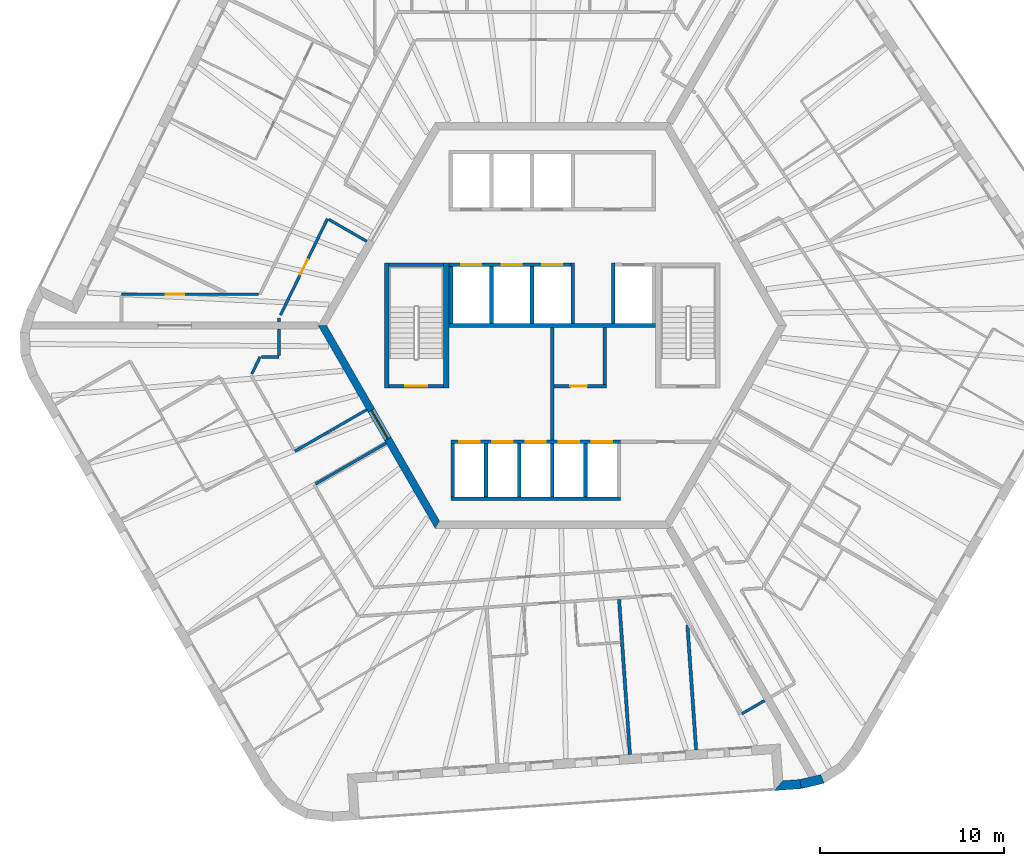
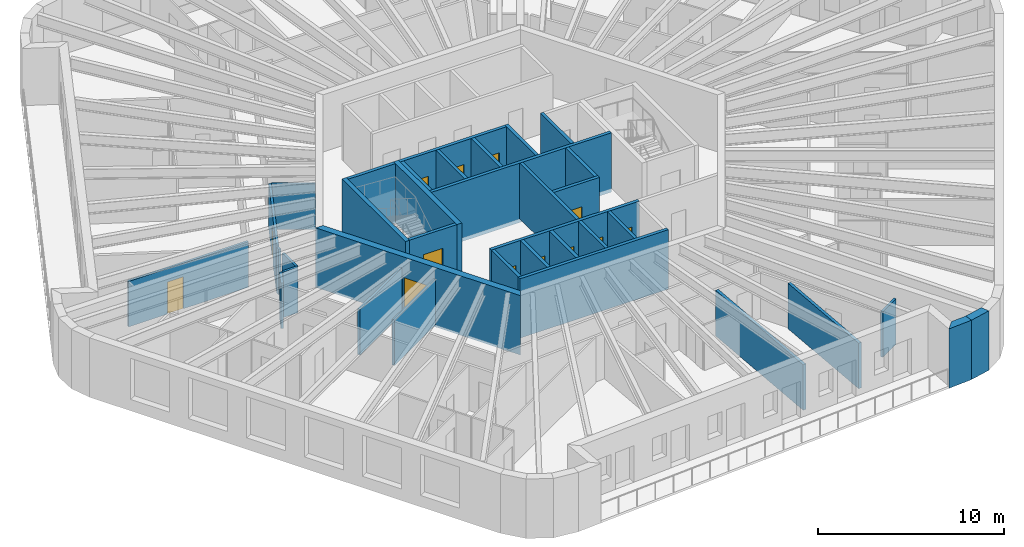
# One storey, part 5 of 12: 36 walls, 13 doors, 13 openings.
"""IFC4 building model written with IfcOpenShell, lengths in metres."""

import ifcopenshell
import ifcopenshell.guid

model = None  # the IFC model being written
_history = None  # IfcOwnerHistory: only IFC2X3 demands one
_inside = {}  # id of a spatial element -> (the spatial element, [elements in it])
_under = {}  # id of a project, library or spatial element -> (it, [spatial elements below it])
_declared = {}  # id of a project -> (the project, [libraries it declares])
_typed = {}  # id of a type object -> (the type object, [elements of that type])
_made_of = {}  # id of a material, layer set ... -> (it, [elements and type objects made of it])


def new_model(schema):
    """Start an empty IFC model of exactly this schema.

    Asked for "IFC4X3", IfcOpenShell would pick the latest addendum, in which some entities
    have other attributes; the version numbers below select the first issue.
    IFC2X3 requires an IfcOwnerHistory on every rooted entity: one is made here for all.
    """
    global model, _history
    if schema == "IFC4X3":
        model = ifcopenshell.file(schema_version=(4, 3, 0, 0))
    else:
        model = ifcopenshell.file(schema=schema)
    _inside.clear()
    _under.clear()
    _declared.clear()
    _typed.clear()
    _made_of.clear()
    _history = None
    if model.schema == "IFC2X3":
        org = make("IfcOrganization", Name="unknown")
        user = make(
            "IfcPersonAndOrganization",
            ThePerson=make("IfcPerson", FamilyName="unknown"),
            TheOrganization=org,
        )
        app = make(
            "IfcApplication",
            ApplicationDeveloper=org,
            Version="unknown",
            ApplicationFullName="unknown",
            ApplicationIdentifier="unknown",
        )
        _history = make(
            "IfcOwnerHistory",
            OwningUser=user,
            OwningApplication=app,
            ChangeAction="ADDED",
            CreationDate=0,
        )
    return model


def make(cls, **values):
    """One entity of the class cls with the attributes given. An attribute that is None is left unset."""
    return model.create_entity(
        cls, **{name: value for name, value in values.items() if value is not None}
    )


def rooted(cls, **values):
    """An entity with a GlobalId (a new one), such as an element, a storey or a relation."""
    return make(cls, GlobalId=ifcopenshell.guid.new(), OwnerHistory=_history, **values)


def si_unit(unit_type, name, prefix=None):
    """IfcSIUnit, for example si_unit("LENGTHUNIT", "METRE", prefix="MILLI")."""
    return make("IfcSIUnit", UnitType=unit_type, Prefix=prefix, Name=name)


def assignment(units):
    """IfcUnitAssignment: the units of a project."""
    return None if units is None else make("IfcUnitAssignment", Units=units)


def point(xyz):
    """IfcCartesianPoint."""
    return None if xyz is None else make("IfcCartesianPoint", Coordinates=xyz)


def direction(xyz):
    """IfcDirection."""
    return None if xyz is None else make("IfcDirection", DirectionRatios=xyz)


def frame(location, z_axis=None, x_axis=None):
    """IfcAxis2Placement3D, a coordinate frame: its origin and axes. An axis left out is left unset."""
    return make(
        "IfcAxis2Placement3D",
        Location=point(location),
        Axis=direction(z_axis),
        RefDirection=direction(x_axis),
    )


def frame_2d(location, x_axis=None):
    """IfcAxis2Placement2D, a coordinate frame in the plane: its origin and x axis."""
    return make(
        "IfcAxis2Placement2D", Location=point(location), RefDirection=direction(x_axis)
    )


def origin():
    """The frame at (0, 0, 0) with its axes left unset."""
    return frame((0.0, 0.0, 0.0))


def place(relative_to, where):
    """IfcLocalPlacement: puts the frame where relative to a parent placement (None: the world)."""
    return make(
        "IfcLocalPlacement", PlacementRelTo=relative_to, RelativePlacement=where
    )


def context(
    kind, dimensions, precision=None, world=None, true_north=None, identifier=None
):
    """IfcGeometricRepresentationContext, for example the 3D "Model" context."""
    return make(
        "IfcGeometricRepresentationContext",
        ContextIdentifier=identifier,
        ContextType=kind,
        CoordinateSpaceDimension=dimensions,
        Precision=precision,
        WorldCoordinateSystem=world,
        TrueNorth=true_north,
    )


def subcontext(parent, identifier, kind, view, scale=None):
    """IfcGeometricRepresentationSubContext, for example "Body" below "Model"."""
    return make(
        "IfcGeometricRepresentationSubContext",
        ContextIdentifier=identifier,
        ContextType=kind,
        ParentContext=parent,
        TargetScale=scale,
        TargetView=view,
    )


def project(units=None, contexts=None):
    """IfcProject with its units and contexts."""
    return rooted(
        "IfcProject",
        Name="project",
        RepresentationContexts=contexts,
        UnitsInContext=assignment(units),
    )


def spatial(cls, under=None, at=None, **own):
    """A site, building, storey or space (cls), placed at a placement, below another one or the project."""
    s = rooted(cls, ObjectPlacement=at, **own)
    if under is not None:
        _under.setdefault(under.id(), (under, []))[1].append(s)
    return s


def polyline(points):
    """IfcPolyline through the points."""
    return make("IfcPolyline", Points=[point(p) for p in points])


def profile(cls, at=None, kind="AREA", **sizes):
    """A parametric profile (cls). Its sizes go by their IFC names, for example OverallWidth=200.0."""
    return make(cls, ProfileType=kind, Position=at, **sizes)


def rectangle(**sizes):
    """IfcRectangleProfileDef."""
    return profile("IfcRectangleProfileDef", **sizes)


def outline(outer, holes=None, kind="AREA"):
    """IfcArbitraryClosedProfileDef: a profile drawn as a closed curve; with holes, ...WithVoids."""
    if holes is None:
        return make("IfcArbitraryClosedProfileDef", ProfileType=kind, OuterCurve=outer)
    return make(
        "IfcArbitraryProfileDefWithVoids",
        ProfileType=kind,
        OuterCurve=outer,
        InnerCurves=holes,
    )


def extrude(swept, where, along, depth):
    """IfcExtrudedAreaSolid: the profile swept, set in the frame where, extruded along a direction by depth."""
    return make(
        "IfcExtrudedAreaSolid",
        SweptArea=swept,
        Position=where,
        ExtrudedDirection=direction(along),
        Depth=depth,
    )


def shape(context_of_items, identifier, shape_type, items):
    """IfcShapeRepresentation: the items that make up one representation, for example the "Body"."""
    return make(
        "IfcShapeRepresentation",
        ContextOfItems=context_of_items,
        RepresentationIdentifier=identifier,
        RepresentationType=shape_type,
        Items=items,
    )


def material(Name=None, Category=None):
    """IfcMaterial."""
    return make("IfcMaterial", Name=Name, Category=Category)


def layer(
    of_material, thickness, ventilated=None, Name=None, Category=None, Priority=None
):
    """IfcMaterialLayer: one layer of a wall or slab, of a material (None: an air gap)."""
    return make(
        "IfcMaterialLayer",
        Material=of_material,
        LayerThickness=thickness,
        IsVentilated=ventilated,
        Name=Name,
        Category=Category,
        Priority=Priority,
    )


def layer_set(layers, Name=None):
    """IfcMaterialLayerSet."""
    return make("IfcMaterialLayerSet", MaterialLayers=layers, LayerSetName=Name)


def made_of(thing, what):
    """Note that an element or type object is made of a material, layer set ...; save() writes the relation."""
    if what is not None:
        _made_of.setdefault(what.id(), (what, []))[1].append(thing)
    return thing


def type_object(cls, material=None, **own):
    """A type object (cls), such as IfcWallType, which elements share."""
    return made_of(rooted(cls, **own), material)


def element(
    cls,
    number,
    at=None,
    inside=None,
    cuts=None,
    type_object=None,
    material=None,
    context=None,
    identifier="Body",
    shape_type=None,
    held_by="IfcProductDefinitionShape",
    body=None,
    shapes=None,
    **own,
):
    """One element of the class cls, such as IfcWall. Its Tag is "e" and its number.

    at: its placement. inside: the storey or other place that contains it. cuts: it is an
    opening in that element (IfcRelVoidsElement). A single representation is given by context,
    identifier, shape_type and body (its items); several are given by shapes. held_by: the class
    of the entity that holds the representations. save() writes the other relations.
    """
    e = rooted(cls, Tag="e%d" % number, ObjectPlacement=at, **own)
    if body is not None:
        shapes = [shape(context, identifier, shape_type, body)]
    if shapes is not None:
        e.Representation = make(held_by, Representations=shapes)
    if inside is not None:
        _inside.setdefault(inside.id(), (inside, []))[1].append(e)
    if cuts is not None:
        rooted(
            "IfcRelVoidsElement", RelatingBuildingElement=cuts, RelatedOpeningElement=e
        )
    if type_object is not None:
        _typed.setdefault(type_object.id(), (type_object, []))[1].append(e)
    return made_of(e, material)


def fill(opening, filler):
    """IfcRelFillsElement: the door or window that sits in an opening."""
    return rooted(
        "IfcRelFillsElement",
        RelatingOpeningElement=opening,
        RelatedBuildingElement=filler,
    )


def aggregate(whole, parts):
    """IfcRelAggregates: a whole, such as a stair, and the parts it consists of."""
    return rooted("IfcRelAggregates", RelatingObject=whole, RelatedObjects=parts)


def save(model, path):
    """Write the relations noted so far, then the file.

    IfcRelAggregates (storeys below a building ...), IfcRelContainedInSpatialStructure (elements
    in a storey), IfcRelDefinesByType, IfcRelAssociatesMaterial and IfcRelDeclares: one each for
    every whole, place, type object, material and project.
    """
    for whole, parts in _under.values():
        aggregate(whole, parts)
    for where, things in _inside.values():
        rooted(
            "IfcRelContainedInSpatialStructure",
            RelatedElements=things,
            RelatingStructure=where,
        )
    for kind, things in _typed.values():
        rooted("IfcRelDefinesByType", RelatedObjects=things, RelatingType=kind)
    for what, things in _made_of.values():
        rooted("IfcRelAssociatesMaterial", RelatedObjects=things, RelatingMaterial=what)
    for by, libraries in _declared.values():
        rooted("IfcRelDeclares", RelatingContext=by, RelatedDefinitions=libraries)
    model.write(path)


model = new_model("IFC4")

# Units and contexts
model_context = context("Model", 3, precision=1e-05, world=origin(), true_north=direction((0.0, 1.0)))
body_context = subcontext(model_context, "Body", "Model", "MODEL_VIEW")
ifc_project = project(units=[si_unit("LENGTHUNIT", "METRE"), si_unit("AREAUNIT", "SQUARE_METRE"), si_unit("VOLUMEUNIT", "CUBIC_METRE"), si_unit("PLANEANGLEUNIT", "RADIAN"), si_unit("MASSUNIT", "GRAM", prefix="KILO")], contexts=[model_context])

# Site, building, storey
site_placement = place(None, origin())
site = spatial("IfcSite", under=ifc_project, at=site_placement, CompositionType="ELEMENT")
building_placement = place(site_placement, origin())
building = spatial("IfcBuilding", under=site, at=building_placement, Name="Tarnside Tower", CompositionType="ELEMENT")
storey_placement = place(building_placement, frame((0.0, 0.0, 271.800048828125)))
storey = spatial("IfcBuildingStorey", under=building, at=storey_placement, Name="L65", CompositionType="ELEMENT", Elevation=271.800048828125)

# Wall, opening, door
ifc_material_1 = material(Name="Concrete C40/50", Category="concrete")
ifc_layer_1 = layer(ifc_material_1, 0.199951171875)
ifc_layer_set_1 = layer_set([ifc_layer_1], Name="Core room partition 200 C40/50")
wall_type_1 = type_object("IfcWallType", Name="Core room partition 200 C40/50", PredefinedType="PARTITIONING", material=ifc_layer_set_1)
wall_1_placement = place(storey_placement, frame((0.10009765625, -3.300048828125, 0.0), z_axis=(0.0, 0.0, 1.0), x_axis=(1.0, 0.0, 0.0)))
wall_1 = element("IfcWall", 1, at=wall_1_placement, inside=storey, type_object=wall_type_1, Name="L65 core partition R3S1", PredefinedType="PARTITIONING", context=body_context, shape_type="SweptSolid", body=[
    extrude(rectangle(XDim=2.849853515625, YDim=0.199951171875, at=frame_2d((1.4248046875, 0.0))), origin(), (0.0, 0.0, 1.0), 3.64990234375),
])
opening_1_placement = place(wall_1_placement, frame((0.875, 0.0, 0.0)))
opening_1 = element("IfcOpeningElement", 2, at=opening_1_placement, cuts=wall_1, Name="Opening CD-room", PredefinedType="OPENING", context=body_context, shape_type="SweptSolid", body=[
    extrude(rectangle(XDim=0.89990234375, YDim=2.10009765625, at=frame_2d((0.449951171875, 1.050048828125))), frame((0.0, 0.10986328125, 0.0), z_axis=(0.0, -1.0, 0.0), x_axis=(1.0, 0.0, 0.0)), (0.0, 0.0, 1.0), 0.219970703125),
])
ifc_material_2 = material(Name="Steel fire door", Category="steel")
door_type_1 = type_object("IfcDoorType", Name="Room door FD60 900x2100", OperationType="NOTDEFINED", PredefinedType="DOOR", material=ifc_material_2)
door_1_placement = place(opening_1_placement, origin())
door_1 = element("IfcDoor", 3, at=door_1_placement, inside=storey, type_object=door_type_1, Name="L65 core room door SR1", OperationType="SINGLE_SWING_LEFT", OverallHeight=2.10009765625, OverallWidth=0.89990234375, PredefinedType="DOOR", context=body_context, shape_type="SweptSolid", body=[
    extrude(rectangle(XDim=0.89990234375, YDim=2.10009765625, at=frame_2d((0.449951171875, 1.050048828125))), frame((0.0, 0.02490234375, 0.0), z_axis=(0.0, -1.0, 0.0), x_axis=(1.0, 0.0, 0.0)), (0.0, 0.0, 1.0), 0.050048828125),
])
fill(opening_1, door_1)

# Walls
wall_2_placement = place(storey_placement, frame((2.85009765625, -3.199951171875, 0.0), z_axis=(0.0, 0.0, 1.0), x_axis=(0.0, 1.0, 0.0)))
element("IfcWall", 4, at=wall_2_placement, inside=storey, type_object=wall_type_1, Name="L65 core partition R3P1b", PredefinedType="PARTITIONING", context=body_context, shape_type="SweptSolid", body=[
    extrude(rectangle(XDim=3.099853515625, YDim=0.199951171875, at=frame_2d((1.5498046875, 0.0))), origin(), (0.0, 0.0, 1.0), 3.64990234375),
])
wall_3_placement = place(storey_placement, frame((0.0, -6.199951171875, 0.0), z_axis=(0.0, 0.0, 1.0), x_axis=(0.0, 1.0, 0.0)))
element("IfcWall", 5, at=wall_3_placement, inside=storey, type_object=wall_type_1, Name="L65 core partition X0", PredefinedType="PARTITIONING", context=body_context, shape_type="SweptSolid", body=[
    extrude(rectangle(XDim=6.099853515625, YDim=0.199951171875, at=frame_2d((3.0498046875, 0.0))), origin(), (0.0, 0.0, 1.0), 3.64990234375),
])

# Wall, opening, door
ifc_material_3 = material(Name="Concrete C60/75", Category="concrete")
ifc_layer_2 = layer(ifc_material_3, 0.39990234375)
ifc_layer_set_2 = layer_set([ifc_layer_2], Name="Core wall Z3 400 C60/75")
wall_type_2 = type_object("IfcWallType", Name="Core wall Z3 400 C60/75", PredefinedType="SHEAR", material=ifc_layer_set_2)
wall_4_placement = place(storey_placement, frame((-12.470703125, 0.0, -0.150146484375), z_axis=(0.0, 0.0, 1.0), x_axis=(0.499996419489, -0.866027470984, 0.0)))
wall_4 = element("IfcWall", 6, at=wall_4_placement, inside=storey, type_object=wall_type_2, Name="L65 core wall face 3", PredefinedType="SHEAR", context=body_context, shape_type="SweptSolid", body=[
    extrude(outline(polyline([(-0.115478515625, -0.199951171875), (12.586181640625, -0.199951171875), (12.355224609375, 0.199951171875), (0.115478515625, 0.199951171875), (-0.115478515625, -0.199951171875)])), origin(), (0.0, 0.0, 1.0), 3.900146484375),
])
opening_2_placement = place(wall_4_placement, frame((5.306396484375, 0.0, 0.14990234375)))
opening_2 = element("IfcOpeningElement", 7, at=opening_2_placement, cuts=wall_4, Name="Opening CD-FFL", PredefinedType="OPENING", context=body_context, shape_type="SweptSolid", body=[
    extrude(rectangle(XDim=1.800048828125, YDim=2.39990234375, at=frame_2d((0.89990234375, 1.199951171875))), frame((0.0, 0.2099609375, 0.0), z_axis=(0.0, -1.0, 0.0), x_axis=(1.0, 0.0, 0.0)), (0.0, 0.0, 1.0), 0.419921875),
])
door_type_2 = type_object("IfcDoorType", Name="Firefighting lobby double door FD60S 1800x2400", OperationType="NOTDEFINED", PredefinedType="DOOR", material=ifc_material_2)
door_2_placement = place(opening_2_placement, origin())
door_2 = element("IfcDoor", 8, at=door_2_placement, inside=storey, type_object=door_type_2, Name="L65 core door P3", OperationType="DOUBLE_DOOR_SINGLE_SWING", OverallHeight=2.39990234375, OverallWidth=1.800048828125, PredefinedType="DOOR", context=body_context, shape_type="SweptSolid", body=[
    extrude(rectangle(XDim=1.800048828125, YDim=2.39990234375, at=frame_2d((0.89990234375, 1.199951171875))), frame((0.0, 0.02490234375, 0.0), z_axis=(0.0, -1.0, 0.0), x_axis=(1.0, 0.0, 0.0)), (0.0, 0.0, 1.0), 0.050048828125),
])
fill(opening_2, door_2)

ifc_material_4 = material(Name="Gypsum board partition on steel studs", Category="steel")
ifc_layer_3 = layer(ifc_material_4, 0.14990234375)
ifc_layer_set_3 = layer_set([ifc_layer_3], Name="Corridor wall 150 EI 60")
wall_type_3 = type_object("IfcWallType", Name="Corridor wall 150 EI 60", PredefinedType="PARTITIONING", material=ifc_layer_set_3)
wall_5_placement = place(storey_placement, frame((-15.943359375, 1.699951171875, 0.0), z_axis=(0.0, 0.0, 1.0), x_axis=(-1.0, 0.0, 0.0)))
wall_5 = element("IfcWall", 9, at=wall_5_placement, inside=storey, type_object=wall_type_3, Name="Corridor wall 21015", PredefinedType="PARTITIONING", context=body_context, shape_type="SweptSolid", body=[
    extrude(rectangle(XDim=7.4306640625, YDim=0.14990234375, at=frame_2d((3.71533203125, 0.0))), origin(), (0.0, 0.0, 1.0), 2.98779296875),
])
opening_3_placement = place(wall_5_placement, frame((4.02978515625, 0.0, 0.0)))
opening_3 = element("IfcOpeningElement", 10, at=opening_3_placement, cuts=wall_5, Name="Opening D-E1", PredefinedType="OPENING", context=body_context, shape_type="SweptSolid", body=[
    extrude(rectangle(XDim=1.0, YDim=2.10009765625, at=frame_2d((0.5, 1.050048828125))), frame((0.0, 0.0849609375, 0.0), z_axis=(0.0, -1.0, 0.0), x_axis=(1.0, 0.0, 0.0)), (0.0, 0.0, 1.0), 0.169921875),
])
ifc_material_5 = material(Name="Timber door leaf", Category="wood")
door_type_3 = type_object("IfcDoorType", Name="Unit entrance door 1000 FD30S", OperationType="NOTDEFINED", PredefinedType="DOOR", material=ifc_material_5)
door_3_placement = place(opening_3_placement, origin())
door_3 = element("IfcDoor", 11, at=door_3_placement, inside=storey, type_object=door_type_3, Name="Unit door 21025", OperationType="SINGLE_SWING_LEFT", OverallHeight=2.10009765625, OverallWidth=1.0, PredefinedType="DOOR", context=body_context, shape_type="SweptSolid", body=[
    extrude(rectangle(XDim=1.0, YDim=2.10009765625, at=frame_2d((0.5, 1.050048828125))), frame((0.0, 0.02490234375, 0.0), z_axis=(0.0, -1.0, 0.0), x_axis=(1.0, 0.0, 0.0)), (0.0, 0.0, 1.0), 0.050048828125),
])
fill(opening_3, door_3)

# Wall
wall_6_placement = place(storey_placement, frame((-14.820068359375, 0.199951171875, 0.0), z_axis=(0.0, 0.0, 1.0), x_axis=(0.0, 1.0, 0.0)))
element("IfcWall", 12, at=wall_6_placement, inside=storey, type_object=wall_type_3, Name="Corridor wall 21026", PredefinedType="PARTITIONING", context=body_context, shape_type="SweptSolid", body=[
    extrude(rectangle(XDim=0.210205078125, YDim=0.14990234375, at=frame_2d((0.10498046875, 0.0))), origin(), (0.0, 0.0, 1.0), 2.98779296875),
])

# Wall, opening, door
wall_7_placement = place(storey_placement, frame((-14.7451171875, 0.563720703125, 0.0), z_axis=(0.0, 0.0, 1.0), x_axis=(0.438348416625, 0.898805132185, 0.0)))
wall_7 = element("IfcWall", 13, at=wall_7_placement, inside=storey, type_object=wall_type_3, Name="Corridor wall 21027", PredefinedType="PARTITIONING", context=body_context, shape_type="SweptSolid", body=[
    extrude(rectangle(XDim=5.819580078125, YDim=0.14990234375, at=frame_2d((2.90966796875, 0.0))), origin(), (0.0, 0.0, 1.0), 2.98779296875),
])
opening_4_placement = place(wall_7_placement, frame((2.459716796875, 0.0, 0.0)))
opening_4 = element("IfcOpeningElement", 14, at=opening_4_placement, cuts=wall_7, Name="Opening D-S1", PredefinedType="OPENING", context=body_context, shape_type="SweptSolid", body=[
    extrude(rectangle(XDim=0.89990234375, YDim=2.10009765625, at=frame_2d((0.449951171875, 1.050048828125))), frame((0.0, 0.0849609375, 0.0), z_axis=(0.0, -1.0, 0.0), x_axis=(1.0, 0.0, 0.0)), (0.0, 0.0, 1.0), 0.169921875),
])
door_type_4 = type_object("IfcDoorType", Name="Service room door 900 FD30S", OperationType="NOTDEFINED", PredefinedType="DOOR", material=ifc_material_5)
door_4_placement = place(opening_4_placement, origin())
door_4 = element("IfcDoor", 15, at=door_4_placement, inside=storey, type_object=door_type_4, Name="Service door 21070", OperationType="SINGLE_SWING_RIGHT", OverallHeight=2.10009765625, OverallWidth=0.89990234375, PredefinedType="DOOR", context=body_context, shape_type="SweptSolid", body=[
    extrude(rectangle(XDim=0.89990234375, YDim=2.10009765625, at=frame_2d((0.449951171875, 1.050048828125))), frame((0.0, 0.02490234375, 0.0), z_axis=(0.0, -1.0, 0.0), x_axis=(1.0, 0.0, 0.0)), (0.0, 0.0, 1.0), 0.050048828125),
])
fill(opening_4, door_4)

# Walls
wall_8_placement = place(storey_placement, frame((-12.12890625, 5.7568359375, 0.0), z_axis=(0.0, 0.0, 1.0), x_axis=(0.866033707122, -0.499985617921, 0.0)))
element("IfcWall", 16, at=wall_8_placement, inside=storey, type_object=wall_type_3, Name="Corridor wall 21028", PredefinedType="PARTITIONING", context=body_context, shape_type="SweptSolid", body=[
    extrude(rectangle(XDim=2.38232421875, YDim=0.14990234375, at=frame_2d((1.191162109375, 0.0))), origin(), (0.0, 0.0, 1.0), 2.98779296875),
])
wall_9_placement = place(storey_placement, frame((10.27978515625, -21.054931640625, 0.0), z_axis=(0.0, 0.0, 1.0), x_axis=(0.866020080793, 0.500009219579, 0.0)))
element("IfcWall", 17, at=wall_9_placement, inside=storey, type_object=wall_type_3, Name="Corridor wall 21046", PredefinedType="PARTITIONING", context=body_context, shape_type="SweptSolid", body=[
    extrude(rectangle(XDim=1.4248046875, YDim=0.14990234375, at=frame_2d((0.71240234375, 0.0))), origin(), (0.0, 0.0, 1.0), 2.98779296875),
])
wall_10_placement = place(storey_placement, frame((-10.065673828125, -4.565673828125, 0.0), z_axis=(0.0, 0.0, 1.0), x_axis=(-0.866031096941, -0.499990139034, 0.0)))
element("IfcWall", 18, at=wall_10_placement, inside=storey, type_object=wall_type_3, Name="Corridor wall 21047", PredefinedType="PARTITIONING", context=body_context, shape_type="SweptSolid", body=[
    extrude(rectangle(XDim=4.5, YDim=0.14990234375, at=frame_2d((2.25, 0.0))), origin(), (0.0, 0.0, 1.0), 2.98779296875),
])
wall_11_placement = place(storey_placement, frame((-16.29833984375, -2.62060546875, 0.0), z_axis=(0.0, 0.0, 1.0), x_axis=(0.438325013788, 0.898816545402, 0.0)))
element("IfcWall", 19, at=wall_11_placement, inside=storey, type_object=wall_type_3, Name="Corridor wall 21049", PredefinedType="PARTITIONING", context=body_context, shape_type="SweptSolid", body=[
    extrude(rectangle(XDim=1.0244140625, YDim=0.14990234375, at=frame_2d((0.51220703125, 0.0))), origin(), (0.0, 0.0, 1.0), 2.98779296875),
])
wall_12_placement = place(storey_placement, frame((-15.765869140625, -1.699951171875, 0.0), z_axis=(0.0, 0.0, 1.0), x_axis=(1.0, 0.0, 0.0)))
element("IfcWall", 20, at=wall_12_placement, inside=storey, type_object=wall_type_3, Name="Corridor wall 21050", PredefinedType="PARTITIONING", context=body_context, shape_type="SweptSolid", body=[
    extrude(rectangle(XDim=0.94580078125, YDim=0.14990234375, at=frame_2d((0.472900390625, 0.0))), origin(), (0.0, 0.0, 1.0), 2.98779296875),
])
wall_13_placement = place(storey_placement, frame((-14.820068359375, -1.625, 0.0), z_axis=(0.0, 0.0, 1.0), x_axis=(0.0, 1.0, 0.0)))
element("IfcWall", 21, at=wall_13_placement, inside=storey, type_object=wall_type_3, Name="Corridor wall 21051", PredefinedType="PARTITIONING", context=body_context, shape_type="SweptSolid", body=[
    extrude(rectangle(XDim=1.425048828125, YDim=0.14990234375, at=frame_2d((0.71240234375, 0.0))), origin(), (0.0, 0.0, 1.0), 2.98779296875),
])
wall_14_placement = place(storey_placement, frame((-12.847900390625, -8.596923828125, 0.0), z_axis=(0.0, 0.0, 1.0), x_axis=(0.866017452598, 0.500013771606, 0.0)))
element("IfcWall", 22, at=wall_14_placement, inside=storey, type_object=wall_type_3, Name="Corridor wall 21055", PredefinedType="PARTITIONING", context=body_context, shape_type="SweptSolid", body=[
    extrude(rectangle(XDim=4.42529296875, YDim=0.14990234375, at=frame_2d((2.212646484375, 0.0))), origin(), (0.0, 0.0, 1.0), 2.98779296875),
])
ifc_layer_4 = layer(ifc_material_4, 0.179931640625)
ifc_layer_set_4 = layer_set([ifc_layer_4], Name="Demising wall 180 EI 60")
wall_type_4 = type_object("IfcWallType", Name="Demising wall 180 EI 60", PredefinedType="PARTITIONING", material=ifc_layer_set_4)
wall_15_placement = place(storey_placement, frame((4.208251953125, -23.26318359375, 0.0), z_axis=(0.0, 0.0, 1.0), x_axis=(-0.069749826803, 0.997564515037, 0.0)))
element("IfcWall", 23, at=wall_15_placement, inside=storey, type_object=wall_type_4, Name="Demising wall 21141", PredefinedType="PARTITIONING", context=body_context, shape_type="SweptSolid", body=[
    extrude(rectangle(XDim=8.425048828125, YDim=0.179931640625, at=frame_2d((4.21240234375, 0.0))), origin(), (0.0, 0.0, 1.0), 2.98779296875),
])
wall_16_placement = place(storey_placement, frame((7.799560546875, -23.011962890625, 0.0), z_axis=(0.0, 0.0, 1.0), x_axis=(-0.069757205717, 0.997563999075, 0.0)))
element("IfcWall", 24, at=wall_16_placement, inside=storey, type_object=wall_type_4, Name="Demising wall 21143", PredefinedType="PARTITIONING", context=body_context, shape_type="SweptSolid", body=[
    extrude(rectangle(XDim=6.789794921875, YDim=0.179931640625, at=frame_2d((3.39501953125, 0.0))), origin(), (0.0, 0.0, 1.0), 2.98779296875),
])

# Wall, openings, doors
ifc_layer_5 = layer(ifc_material_1, 0.199951171875)
ifc_layer_set_5 = layer_set([ifc_layer_5], Name="Lift shaft wall 200 C40/50")
wall_type_5 = type_object("IfcWallType", Name="Lift shaft wall 200 C40/50", PredefinedType="SHEAR", material=ifc_layer_set_5)
wall_17_placement = place(storey_placement, frame((-5.60009765625, 3.300048828125, -0.25), z_axis=(0.0, 0.0, 1.0), x_axis=(1.0, 0.0, 0.0)))
wall_17 = element("IfcWall", 25, at=wall_17_placement, inside=storey, type_object=wall_type_5, Name="L65 lift shaft front wall R2", PredefinedType="SHEAR", context=body_context, shape_type="SweptSolid", body=[
    extrude(rectangle(XDim=6.60009765625, YDim=0.199951171875, at=frame_2d((3.300048828125, 0.0))), origin(), (0.0, 0.0, 1.0), 3.89990234375),
])
opening_5_placement = place(wall_17_placement, frame((0.64990234375, 0.0, 0.25)))
opening_5 = element("IfcOpeningElement", 26, at=opening_5_placement, cuts=wall_17, Name="Opening LD", PredefinedType="OPENING", context=body_context, shape_type="SweptSolid", body=[
    extrude(rectangle(XDim=1.10009765625, YDim=2.10009765625, at=frame_2d((0.550048828125, 1.050048828125))), frame((0.0, 0.10986328125, 0.0), z_axis=(0.0, -1.0, 0.0), x_axis=(1.0, 0.0, 0.0)), (0.0, 0.0, 1.0), 0.219970703125),
])
opening_6_placement = place(wall_17_placement, frame((2.85009765625, 0.0, 0.25)))
opening_6 = element("IfcOpeningElement", 27, at=opening_6_placement, cuts=wall_17, Name="Opening LD", PredefinedType="OPENING", context=body_context, shape_type="SweptSolid", body=[
    extrude(rectangle(XDim=1.10009765625, YDim=2.10009765625, at=frame_2d((0.550048828125, 1.050048828125))), frame((0.0, 0.10986328125, 0.0), z_axis=(0.0, -1.0, 0.0), x_axis=(1.0, 0.0, 0.0)), (0.0, 0.0, 1.0), 0.219970703125),
])
opening_7_placement = place(wall_17_placement, frame((5.050048828125, 0.0, 0.25)))
opening_7 = element("IfcOpeningElement", 28, at=opening_7_placement, cuts=wall_17, Name="Opening LD", PredefinedType="OPENING", context=body_context, shape_type="SweptSolid", body=[
    extrude(rectangle(XDim=1.10009765625, YDim=2.10009765625, at=frame_2d((0.550048828125, 1.050048828125))), frame((0.0, 0.10986328125, 0.0), z_axis=(0.0, -1.0, 0.0), x_axis=(1.0, 0.0, 0.0)), (0.0, 0.0, 1.0), 0.219970703125),
])
ifc_material_6 = material(Name="Stainless steel", Category="steel")
door_type_5 = type_object("IfcDoorType", Name="Lift landing door 1100x2100", OperationType="NOTDEFINED", PredefinedType="DOOR", material=ifc_material_6)
door_5_placement = place(opening_5_placement, origin())
door_5 = element("IfcDoor", 29, at=door_5_placement, inside=storey, type_object=door_type_5, Name="High-rise lift 4 landing door L65", OperationType="SLIDING_TO_LEFT", OverallHeight=2.10009765625, OverallWidth=1.10009765625, PredefinedType="DOOR", context=body_context, shape_type="SweptSolid", body=[
    extrude(rectangle(XDim=1.10009765625, YDim=2.10009765625, at=frame_2d((0.550048828125, 1.050048828125))), frame((0.0, 0.02490234375, 0.0), z_axis=(0.0, -1.0, 0.0), x_axis=(1.0, 0.0, 0.0)), (0.0, 0.0, 1.0), 0.050048828125),
])
fill(opening_5, door_5)
door_6_placement = place(opening_6_placement, origin())
door_6 = element("IfcDoor", 30, at=door_6_placement, inside=storey, type_object=door_type_5, Name="High-rise lift 5 landing door L65", OperationType="SLIDING_TO_LEFT", OverallHeight=2.10009765625, OverallWidth=1.10009765625, PredefinedType="DOOR", context=body_context, shape_type="SweptSolid", body=[
    extrude(rectangle(XDim=1.10009765625, YDim=2.10009765625, at=frame_2d((0.550048828125, 1.050048828125))), frame((0.0, 0.02490234375, 0.0), z_axis=(0.0, -1.0, 0.0), x_axis=(1.0, 0.0, 0.0)), (0.0, 0.0, 1.0), 0.050048828125),
])
fill(opening_6, door_6)
door_7_placement = place(opening_7_placement, origin())
door_7 = element("IfcDoor", 31, at=door_7_placement, inside=storey, type_object=door_type_5, Name="High-rise lift 6 landing door L65", OperationType="SLIDING_TO_LEFT", OverallHeight=2.10009765625, OverallWidth=1.10009765625, PredefinedType="DOOR", context=body_context, shape_type="SweptSolid", body=[
    extrude(rectangle(XDim=1.10009765625, YDim=2.10009765625, at=frame_2d((0.550048828125, 1.050048828125))), frame((0.0, 0.02490234375, 0.0), z_axis=(0.0, -1.0, 0.0), x_axis=(1.0, 0.0, 0.0)), (0.0, 0.0, 1.0), 0.050048828125),
])
fill(opening_7, door_7)

# Walls
wall_18_placement = place(storey_placement, frame((-5.60009765625, 0.0, -0.25), z_axis=(0.0, 0.0, 1.0), x_axis=(1.0, 0.0, 0.0)))
element("IfcWall", 32, at=wall_18_placement, inside=storey, type_object=wall_type_5, Name="L65 lift shaft back wall R2", PredefinedType="SHEAR", context=body_context, shape_type="SweptSolid", body=[
    extrude(rectangle(XDim=11.2001953125, YDim=0.199951171875, at=frame_2d((5.60009765625, 0.0))), origin(), (0.0, 0.0, 1.0), 3.89990234375),
])
for number, where, z_axis, x_axis, name in (
    (33, (-5.5, 0.10009765625, -0.25), (0.0, 0.0, 1.0), (0.0, 1.0, 0.0), "L65 lift shaft partition R21"),
    (34, (-3.300048828125, 0.10009765625, -0.25), (0.0, 0.0, 1.0), (0.0, 1.0, 0.0), "L65 lift shaft partition R22"),
    (35, (-1.10009765625, 0.10009765625, -0.25), (0.0, 0.0, 1.0), (0.0, 1.0, 0.0), "L65 lift shaft partition R23"),
):
    element("IfcWall", number, at=place(storey_placement, frame(where, z_axis=z_axis, x_axis=x_axis)), inside=storey, type_object=wall_type_5, Name=name, PredefinedType="SHEAR", context=body_context, shape_type="SweptSolid", body=[
        extrude(rectangle(XDim=3.099853515625, YDim=0.199951171875, at=frame_2d((1.5498046875, 0.0))), origin(), (0.0, 0.0, 1.0), 3.89990234375),
    ])
for number, where, z_axis, x_axis, name in (
    (36, (1.10009765625, 0.10009765625, -0.25), (0.0, 0.0, 1.0), (0.0, 1.0, 0.0), "L65 lift shaft partition R24"),
    (37, (3.300048828125, 0.10009765625, -0.25), (0.0, 0.0, 1.0), (0.0, 1.0, 0.0), "L65 lift shaft partition R25"),
):
    element("IfcWall", number, at=place(storey_placement, frame(where, z_axis=z_axis, x_axis=x_axis)), inside=storey, type_object=wall_type_5, Name=name, PredefinedType="SHEAR", context=body_context, shape_type="SweptSolid", body=[
        extrude(rectangle(XDim=3.2998046875, YDim=0.199951171875, at=frame_2d((1.64990234375, 0.0))), origin(), (0.0, 0.0, 1.0), 3.89990234375),
    ])

# Wall, openings, doors
wall_19_placement = place(storey_placement, frame((-5.5, -6.300048828125, -0.25), z_axis=(0.0, 0.0, 1.0), x_axis=(1.0, 0.0, 0.0)))
wall_19 = element("IfcWall", 38, at=wall_19_placement, inside=storey, type_object=wall_type_5, Name="L65 lift shaft front wall R4", PredefinedType="SHEAR", context=body_context, shape_type="SweptSolid", body=[
    extrude(rectangle(XDim=9.199951171875, YDim=0.199951171875, at=frame_2d((4.60009765625, 0.0))), origin(), (0.0, 0.0, 1.0), 3.89990234375),
])
opening_8_placement = place(wall_19_placement, frame((0.449951171875, 0.0, 0.25)))
opening_8 = element("IfcOpeningElement", 39, at=opening_8_placement, cuts=wall_19, Name="Opening LDF", PredefinedType="OPENING", context=body_context, shape_type="SweptSolid", body=[
    extrude(rectangle(XDim=1.10009765625, YDim=2.10009765625, at=frame_2d((0.550048828125, 1.050048828125))), frame((0.0, 0.10986328125, 0.0), z_axis=(0.0, -1.0, 0.0), x_axis=(1.0, 0.0, 0.0)), (0.0, 0.0, 1.0), 0.219970703125),
])
opening_9_placement = place(wall_19_placement, frame((2.25, 0.0, 0.25)))
opening_9 = element("IfcOpeningElement", 40, at=opening_9_placement, cuts=wall_19, Name="Opening LDF", PredefinedType="OPENING", context=body_context, shape_type="SweptSolid", body=[
    extrude(rectangle(XDim=1.10009765625, YDim=2.10009765625, at=frame_2d((0.550048828125, 1.050048828125))), frame((0.0, 0.10986328125, 0.0), z_axis=(0.0, -1.0, 0.0), x_axis=(1.0, 0.0, 0.0)), (0.0, 0.0, 1.0), 0.219970703125),
])
opening_10_placement = place(wall_19_placement, frame((4.050048828125, 0.0, 0.25)))
opening_10 = element("IfcOpeningElement", 41, at=opening_10_placement, cuts=wall_19, Name="Opening LDF", PredefinedType="OPENING", context=body_context, shape_type="SweptSolid", body=[
    extrude(rectangle(XDim=1.10009765625, YDim=2.10009765625, at=frame_2d((0.550048828125, 1.050048828125))), frame((0.0, 0.10986328125, 0.0), z_axis=(0.0, -1.0, 0.0), x_axis=(1.0, 0.0, 0.0)), (0.0, 0.0, 1.0), 0.219970703125),
])
opening_11_placement = place(wall_19_placement, frame((5.85009765625, 0.0, 0.25)))
opening_11 = element("IfcOpeningElement", 42, at=opening_11_placement, cuts=wall_19, Name="Opening LDF", PredefinedType="OPENING", context=body_context, shape_type="SweptSolid", body=[
    extrude(rectangle(XDim=1.10009765625, YDim=2.10009765625, at=frame_2d((0.550048828125, 1.050048828125))), frame((0.0, 0.10986328125, 0.0), z_axis=(0.0, -1.0, 0.0), x_axis=(1.0, 0.0, 0.0)), (0.0, 0.0, 1.0), 0.219970703125),
])
opening_12_placement = place(wall_19_placement, frame((7.64990234375, 0.0, 0.25)))
opening_12 = element("IfcOpeningElement", 43, at=opening_12_placement, cuts=wall_19, Name="Opening LDF", PredefinedType="OPENING", context=body_context, shape_type="SweptSolid", body=[
    extrude(rectangle(XDim=1.10009765625, YDim=2.10009765625, at=frame_2d((0.550048828125, 1.050048828125))), frame((0.0, 0.10986328125, 0.0), z_axis=(0.0, -1.0, 0.0), x_axis=(1.0, 0.0, 0.0)), (0.0, 0.0, 1.0), 0.219970703125),
])
door_type_6 = type_object("IfcDoorType", Name="Lift landing door 1100x2100 EI 120", OperationType="NOTDEFINED", PredefinedType="DOOR", material=ifc_material_6)
door_8_placement = place(opening_8_placement, origin())
door_8 = element("IfcDoor", 44, at=door_8_placement, inside=storey, type_object=door_type_6, Name="Firefighting lift 1 landing door L65", OperationType="SLIDING_TO_LEFT", OverallHeight=2.10009765625, OverallWidth=1.10009765625, PredefinedType="DOOR", context=body_context, shape_type="SweptSolid", body=[
    extrude(rectangle(XDim=1.10009765625, YDim=2.10009765625, at=frame_2d((0.550048828125, 1.050048828125))), frame((0.0, 0.02490234375, 0.0), z_axis=(0.0, -1.0, 0.0), x_axis=(1.0, 0.0, 0.0)), (0.0, 0.0, 1.0), 0.050048828125),
])
fill(opening_8, door_8)
door_9_placement = place(opening_9_placement, origin())
door_9 = element("IfcDoor", 45, at=door_9_placement, inside=storey, type_object=door_type_6, Name="Firefighting lift 2 landing door L65", OperationType="SLIDING_TO_LEFT", OverallHeight=2.10009765625, OverallWidth=1.10009765625, PredefinedType="DOOR", context=body_context, shape_type="SweptSolid", body=[
    extrude(rectangle(XDim=1.10009765625, YDim=2.10009765625, at=frame_2d((0.550048828125, 1.050048828125))), frame((0.0, 0.02490234375, 0.0), z_axis=(0.0, -1.0, 0.0), x_axis=(1.0, 0.0, 0.0)), (0.0, 0.0, 1.0), 0.050048828125),
])
fill(opening_9, door_9)
door_10_placement = place(opening_10_placement, origin())
door_10 = element("IfcDoor", 46, at=door_10_placement, inside=storey, type_object=door_type_6, Name="Firefighting lift 3 landing door L65", OperationType="SLIDING_TO_LEFT", OverallHeight=2.10009765625, OverallWidth=1.10009765625, PredefinedType="DOOR", context=body_context, shape_type="SweptSolid", body=[
    extrude(rectangle(XDim=1.10009765625, YDim=2.10009765625, at=frame_2d((0.550048828125, 1.050048828125))), frame((0.0, 0.02490234375, 0.0), z_axis=(0.0, -1.0, 0.0), x_axis=(1.0, 0.0, 0.0)), (0.0, 0.0, 1.0), 0.050048828125),
])
fill(opening_10, door_10)
door_11_placement = place(opening_11_placement, origin())
door_11 = element("IfcDoor", 47, at=door_11_placement, inside=storey, type_object=door_type_6, Name="Firefighting lift 4 landing door L65", OperationType="SLIDING_TO_LEFT", OverallHeight=2.10009765625, OverallWidth=1.10009765625, PredefinedType="DOOR", context=body_context, shape_type="SweptSolid", body=[
    extrude(rectangle(XDim=1.10009765625, YDim=2.10009765625, at=frame_2d((0.550048828125, 1.050048828125))), frame((0.0, 0.02490234375, 0.0), z_axis=(0.0, -1.0, 0.0), x_axis=(1.0, 0.0, 0.0)), (0.0, 0.0, 1.0), 0.050048828125),
])
fill(opening_11, door_11)
door_12_placement = place(opening_12_placement, origin())
door_12 = element("IfcDoor", 48, at=door_12_placement, inside=storey, type_object=door_type_6, Name="Firefighting lift 5 landing door L65", OperationType="SLIDING_TO_LEFT", OverallHeight=2.10009765625, OverallWidth=1.10009765625, PredefinedType="DOOR", context=body_context, shape_type="SweptSolid", body=[
    extrude(rectangle(XDim=1.10009765625, YDim=2.10009765625, at=frame_2d((0.550048828125, 1.050048828125))), frame((0.0, 0.02490234375, 0.0), z_axis=(0.0, -1.0, 0.0), x_axis=(1.0, 0.0, 0.0)), (0.0, 0.0, 1.0), 0.050048828125),
])
fill(opening_12, door_12)

# Walls
wall_20_placement = place(storey_placement, frame((-5.5, -9.39990234375, -0.25), z_axis=(0.0, 0.0, 1.0), x_axis=(1.0, 0.0, 0.0)))
element("IfcWall", 49, at=wall_20_placement, inside=storey, type_object=wall_type_5, Name="L65 lift shaft back wall R4", PredefinedType="SHEAR", context=body_context, shape_type="SweptSolid", body=[
    extrude(rectangle(XDim=9.199951171875, YDim=0.199951171875, at=frame_2d((4.60009765625, 0.0))), origin(), (0.0, 0.0, 1.0), 3.89990234375),
])
for number, where, z_axis, x_axis, name in (
    (50, (-5.39990234375, -9.300048828125, -0.25), (0.0, 0.0, 1.0), (0.0, 1.0, 0.0), "L65 lift shaft partition R41"),
    (51, (-3.60009765625, -9.300048828125, -0.25), (0.0, 0.0, 1.0), (0.0, 1.0, 0.0), "L65 lift shaft partition R42"),
    (52, (-1.800048828125, -9.300048828125, -0.25), (0.0, 0.0, 1.0), (0.0, 1.0, 0.0), "L65 lift shaft partition R43"),
    (53, (0.0, -9.300048828125, -0.25), (0.0, 0.0, 1.0), (0.0, 1.0, 0.0), "L65 lift shaft partition R44"),
    (54, (1.800048828125, -9.300048828125, -0.25), (0.0, 0.0, 1.0), (0.0, 1.0, 0.0), "L65 lift shaft partition R45"),
):
    element("IfcWall", number, at=place(storey_placement, frame(where, z_axis=z_axis, x_axis=x_axis)), inside=storey, type_object=wall_type_5, Name=name, PredefinedType="SHEAR", context=body_context, shape_type="SweptSolid", body=[
        extrude(rectangle(XDim=2.900146484375, YDim=0.199951171875, at=frame_2d((1.4501953125, 0.0))), origin(), (0.0, 0.0, 1.0), 3.89990234375),
    ])
wall_21_placement = place(storey_placement, frame((-8.85009765625, 3.300048828125, -0.25), z_axis=(0.0, 0.0, 1.0), x_axis=(1.0, 0.0, 0.0)))
element("IfcWall", 55, at=wall_21_placement, inside=storey, type_object=wall_type_5, Name="L65 stair 2 enclosure cap wall n", PredefinedType="SHEAR", context=body_context, shape_type="SweptSolid", body=[
    extrude(rectangle(XDim=2.9501953125, YDim=0.199951171875, at=frame_2d((1.47509765625, 0.0))), origin(), (0.0, 0.0, 1.0), 3.89990234375),
])

# Wall, opening, door
wall_22_placement = place(storey_placement, frame((-8.85009765625, -3.300048828125, -0.25), z_axis=(0.0, 0.0, 1.0), x_axis=(1.0, 0.0, 0.0)))
wall_22 = element("IfcWall", 56, at=wall_22_placement, inside=storey, type_object=wall_type_5, Name="L65 stair 2 enclosure cap wall s", PredefinedType="SHEAR", context=body_context, shape_type="SweptSolid", body=[
    extrude(rectangle(XDim=2.9501953125, YDim=0.199951171875, at=frame_2d((1.47509765625, 0.0))), origin(), (0.0, 0.0, 1.0), 3.89990234375),
])
opening_13_placement = place(wall_22_placement, frame((0.875, 0.0, 0.25)))
opening_13 = element("IfcOpeningElement", 57, at=opening_13_placement, cuts=wall_22, Name="Opening CD-STR", PredefinedType="OPENING", context=body_context, shape_type="SweptSolid", body=[
    extrude(rectangle(XDim=1.199951171875, YDim=2.39990234375, at=frame_2d((0.60009765625, 1.199951171875))), frame((0.0, 0.10986328125, 0.0), z_axis=(0.0, -1.0, 0.0), x_axis=(1.0, 0.0, 0.0)), (0.0, 0.0, 1.0), 0.219970703125),
])
door_type_7 = type_object("IfcDoorType", Name="Stair door FD60S 1200x2400", OperationType="NOTDEFINED", PredefinedType="DOOR", material=ifc_material_2)
door_13_placement = place(opening_13_placement, origin())
door_13 = element("IfcDoor", 58, at=door_13_placement, inside=storey, type_object=door_type_7, Name="L65 stair 2 door", OperationType="SINGLE_SWING_LEFT", OverallHeight=2.39990234375, OverallWidth=1.199951171875, PredefinedType="DOOR", context=body_context, shape_type="SweptSolid", body=[
    extrude(rectangle(XDim=1.199951171875, YDim=2.39990234375, at=frame_2d((0.60009765625, 1.199951171875))), frame((0.0, 0.02490234375, 0.0), z_axis=(0.0, -1.0, 0.0), x_axis=(1.0, 0.0, 0.0)), (0.0, 0.0, 1.0), 0.050048828125),
])
fill(opening_13, door_13)

# Walls
ifc_material_7 = material(Name="Dark zinc cladding")
ifc_layer_6 = layer(ifc_material_7, 0.10205078125)
ifc_material_8 = material(Name="Concrete C60/75 precast", Category="concrete")
ifc_layer_7 = layer(ifc_material_8, 0.298095703125)
ifc_material_9 = material(Name="Mineral wool insulation")
ifc_layer_8 = layer(ifc_material_9, 0.10009765625)
ifc_layer_set_6 = layer_set([ifc_layer_6, ifc_layer_7, ifc_layer_8], Name="Loggia wall 500 zinc faced")
wall_type_6 = type_object("IfcWallType", Name="Loggia wall 500 zinc faced", PredefinedType="SOLIDWALL", material=ifc_layer_set_6)
wall_23_placement = place(storey_placement, frame((12.268310546875, -24.955078125, -0.150146484375), z_axis=(0.0, 0.0, 1.0), x_axis=(0.997561942506, 0.06978660948, 0.0)))
element("IfcWall", 59, at=wall_23_placement, inside=storey, type_object=wall_type_6, Name="Tube wall L65 F4 stub 20", PredefinedType="SOLIDWALL", context=body_context, shape_type="SweptSolid", body=[
    extrude(outline(polyline([(-0.25, -0.25), (1.220458984375, -0.25), (1.179443359375, 0.25), (0.25, 0.25), (-0.25, -0.25)])), origin(), (0.0, 0.0, 1.0), 3.900146484375),
])
ifc_layer_9 = layer(ifc_material_1, 0.25)
ifc_layer_set_7 = layer_set([ifc_layer_9], Name="Stair enclosure wall 250 C40/50")
wall_type_7 = type_object("IfcWallType", Name="Stair enclosure wall 250 C40/50", PredefinedType="SHEAR", material=ifc_layer_set_7)
wall_24_placement = place(storey_placement, frame((-8.97509765625, -3.39990234375, -0.25), z_axis=(0.0, 0.0, 1.0), x_axis=(0.0, 1.0, 0.0)))
element("IfcWall", 60, at=wall_24_placement, inside=storey, type_object=wall_type_7, Name="L65 stair 2 enclosure wall outer", PredefinedType="SHEAR", context=body_context, shape_type="SweptSolid", body=[
    extrude(rectangle(XDim=6.7998046875, YDim=0.25, at=frame_2d((3.39990234375, 0.0))), origin(), (0.0, 0.0, 1.0), 3.89990234375),
])
ifc_layer_10 = layer(ifc_material_1, 0.300048828125)
ifc_layer_set_8 = layer_set([ifc_layer_10], Name="Stair enclosure wall 300 C40/50")
wall_type_8 = type_object("IfcWallType", Name="Stair enclosure wall 300 C40/50", PredefinedType="SHEAR", material=ifc_layer_set_8)
wall_25_placement = place(storey_placement, frame((-5.75, -3.39990234375, -0.25), z_axis=(0.0, 0.0, 1.0), x_axis=(0.0, 1.0, 0.0)))
element("IfcWall", 61, at=wall_25_placement, inside=storey, type_object=wall_type_8, Name="L65 stair 2 enclosure wall inner", PredefinedType="SHEAR", context=body_context, shape_type="SweptSolid", body=[
    extrude(rectangle(XDim=6.7998046875, YDim=0.300048828125, at=frame_2d((3.39990234375, 0.0))), origin(), (0.0, 0.0, 1.0), 3.89990234375),
])
ifc_material_10 = material(Name="Facing brick", Category="masonry")
ifc_layer_11 = layer(ifc_material_10, 0.10205078125)
ifc_layer_12 = layer(ifc_material_8, 0.298095703125)
ifc_layer_13 = layer(ifc_material_9, 0.10009765625)
ifc_layer_set_9 = layer_set([ifc_layer_11, ifc_layer_12, ifc_layer_13], Name="Tube wall 500 brick faced")
wall_type_9 = type_object("IfcWallType", Name="Tube wall 500 brick faced", PredefinedType="SOLIDWALL", material=ifc_layer_set_9)
wall_26_placement = place(storey_placement, frame((13.46533203125, -24.871337890625, -0.150146484375), z_axis=(0.0, 0.0, 1.0), x_axis=(0.973044740285, 0.230616420501, 0.0)))
element("IfcWall", 62, at=wall_26_placement, inside=storey, type_object=wall_type_9, Name="Tube wall L65 F4 chord 21", PredefinedType="SOLIDWALL", context=body_context, shape_type="SweptSolid", body=[
    extrude(outline(polyline([(-0.0205078125, -0.25), (1.25732421875, -0.25), (1.17529296875, 0.25), (0.0205078125, 0.25), (-0.0205078125, -0.25)])), origin(), (0.0, 0.0, 1.0), 3.900146484375),
])

save(model, "model.ifc")
